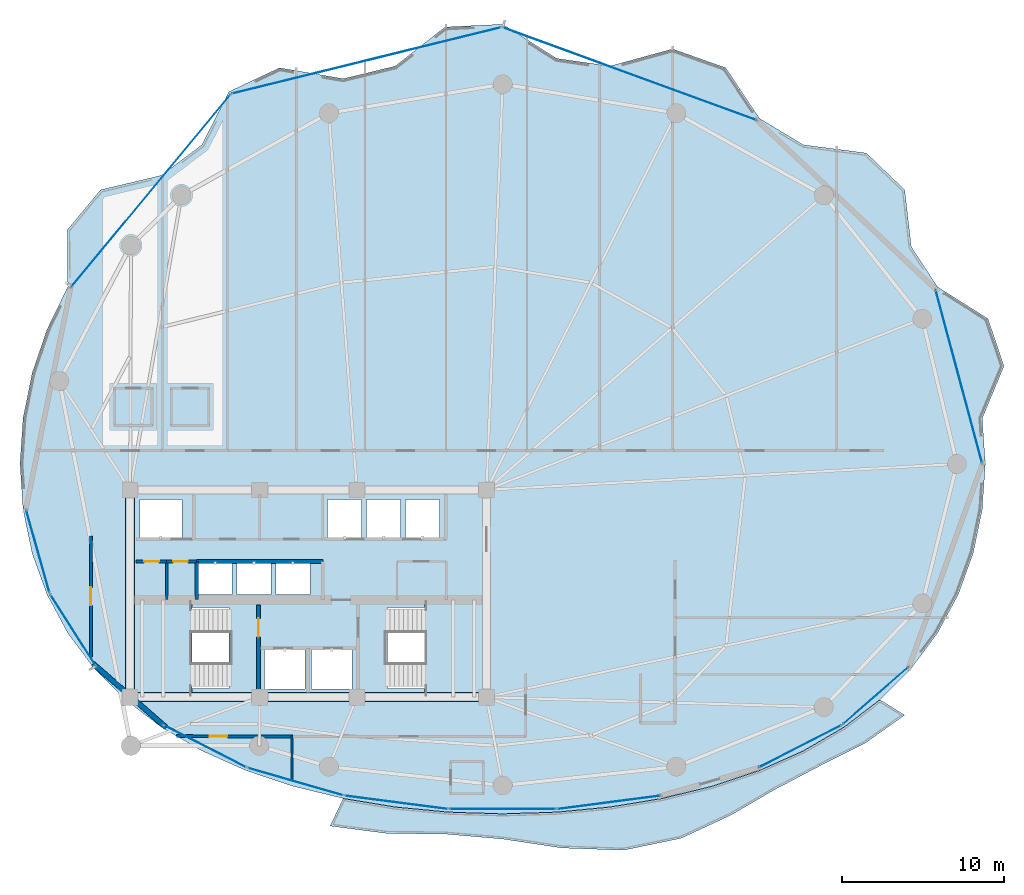
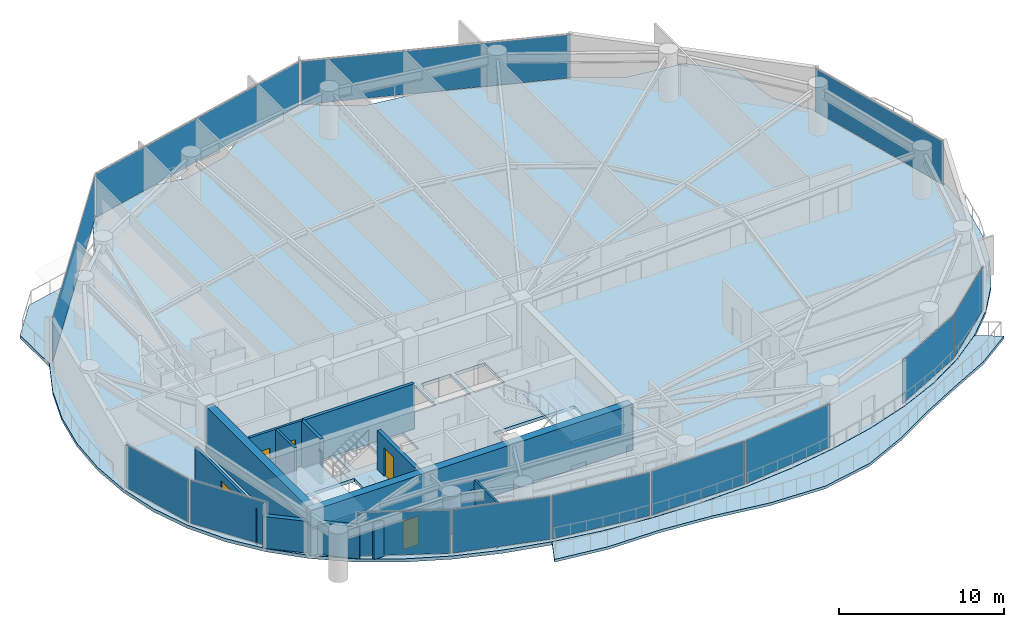
# One storey, part 22 of 28: 13 plates, 12 walls, 5 doors, 4 slabs, 5 openings, 15 elements without a shape of their own.
"""IFC4 building model written with IfcOpenShell, lengths in metres."""

from ifc_helpers import new_model, si_unit, direction, frame, frame_2d, origin, origin_2d, place, context, subcontext, project, spatial, polyline, rectangle, outline, extrude, material, layer, layer_set, type_object, element, fill, aggregate, save


model = new_model("IFC4")

# Units and contexts
model_context = context("Model", 3, precision=1e-05, world=origin(), true_north=direction((0.0, 1.0)))
body_context = subcontext(model_context, "Body", "Model", "MODEL_VIEW")
ifc_project = project(units=[si_unit("LENGTHUNIT", "METRE"), si_unit("AREAUNIT", "SQUARE_METRE"), si_unit("VOLUMEUNIT", "CUBIC_METRE"), si_unit("PLANEANGLEUNIT", "RADIAN"), si_unit("MASSUNIT", "GRAM", prefix="KILO")], contexts=[model_context])

# Site, building, storey
site_placement = place(None, origin())
site = spatial("IfcSite", under=ifc_project, at=site_placement, CompositionType="ELEMENT")
building_placement = place(site_placement, origin())
building = spatial("IfcBuilding", under=site, at=building_placement, Name="Kazevale Care Tower and Concert Hall", CompositionType="ELEMENT")
storey_placement = place(building_placement, frame((0.0, 0.0, 106.199951171875)))
storey = spatial("IfcBuildingStorey", under=building, at=storey_placement, Name="L27", CompositionType="ELEMENT", Elevation=106.199951171875)

# Curtain wall, plate
ifc_material_1 = material(Name="Aluminium 6063-T6 and Low-E Glass", Category="aluminium")
ifc_layer_1 = layer(ifc_material_1, 0.179931640625)
ifc_layer_set_1 = layer_set([ifc_layer_1], Name="Aluminium 6063-T6 and Low-E Glass")
curtain_wall_type_1 = type_object("IfcCurtainWallType", Name="Convex Checkerboard Finned Curtain Wall CW-2", PredefinedType="NOTDEFINED", material=ifc_layer_set_1)
curtain_wall_1_placement = place(storey_placement, origin())
curtain_wall_1 = element("IfcCurtainWall", 1, at=curtain_wall_1_placement, inside=storey, type_object=curtain_wall_type_1, Name="cw:L27:f14", PredefinedType="NOTDEFINED")
ifc_material_2 = material(Name="Low-E Laminated Glass", Category="glass")
ifc_layer_2 = layer(ifc_material_2, 0.028076171875)
ifc_layer_set_2 = layer_set([ifc_layer_2], Name="Low-E Laminated Glass")
plate_type_1 = type_object("IfcPlateType", Name="CW-2 Low-E Glazing Panel 28mm", PredefinedType="CURTAIN_PANEL", material=ifc_layer_set_2)
plate_1_placement = place(storey_placement, frame((23.285888671875, 54.87255859375, 0.074951171875), z_axis=(0.0, 0.0, 1.0), x_axis=(0.637984048061, 0.770049579196, 0.0)))
plate_1 = element("IfcPlate", 2, at=plate_1_placement, type_object=plate_type_1, Name="CW-2 panel 1.1", PredefinedType="CURTAIN_PANEL", context=body_context, shape_type="SweptSolid", body=[
    extrude(rectangle(XDim=15.3701171875, YDim=0.028076171875, at=origin_2d()), origin(), (0.0, 0.0, 1.0), 3.2099609375),
])
aggregate(curtain_wall_1, [plate_1])

curtain_wall_2_placement = place(storey_placement, origin())
curtain_wall_2 = element("IfcCurtainWall", 3, at=curtain_wall_2_placement, inside=storey, type_object=curtain_wall_type_1, Name="cw:L27:f16", PredefinedType="NOTDEFINED")
plate_2_placement = place(storey_placement, frame((52.839599609375, 62.08544921875, 0.074951171875), z_axis=(0.0, 0.0, 1.0), x_axis=(0.939283008641, -0.343143453498, 0.0)))
plate_2 = element("IfcPlate", 4, at=plate_2_placement, type_object=plate_type_1, Name="CW-2 panel 1.1", PredefinedType="CURTAIN_PANEL", context=body_context, shape_type="SweptSolid", body=[
    extrude(rectangle(XDim=16.634765625, YDim=0.028076171875, at=origin_2d()), origin(), (0.0, 0.0, 1.0), 3.2099609375),
])
aggregate(curtain_wall_2, [plate_2])

ifc_layer_3 = layer(ifc_material_1, 0.179931640625)
ifc_layer_set_3 = layer_set([ifc_layer_3], Name="Aluminium 6063-T6 and Low-E Glass")
curtain_wall_type_2 = type_object("IfcCurtainWallType", Name="Convex Recessed Sunroom Curtain Wall CW-3", PredefinedType="NOTDEFINED", material=ifc_layer_set_3)
curtain_wall_3_placement = place(storey_placement, origin())
curtain_wall_3 = element("IfcCurtainWall", 5, at=curtain_wall_3_placement, inside=storey, type_object=curtain_wall_type_2, Name="cw:L27:f15", PredefinedType="NOTDEFINED")
ifc_layer_4 = layer(ifc_material_2, 0.028076171875)
ifc_layer_set_4 = layer_set([ifc_layer_4], Name="Low-E Laminated Glass")
plate_type_2 = type_object("IfcPlateType", Name="CW-3 Low-E Glazing Panel 28mm", PredefinedType="CURTAIN_PANEL", material=ifc_layer_set_4)
plate_3_placement = place(storey_placement, frame((36.595947265625, 62.909423828125, 0.074951171875), z_axis=(0.0, 0.0, 1.0), x_axis=(0.970997657217, 0.239088999495, 0.0)))
plate_3 = element("IfcPlate", 6, at=plate_3_placement, type_object=plate_type_2, Name="CW-3 panel 1.1", PredefinedType="CURTAIN_PANEL", context=body_context, shape_type="SweptSolid", body=[
    extrude(rectangle(XDim=17.061279296875, YDim=0.028076171875, at=origin_2d()), origin(), (0.0, 0.0, 1.0), 3.2099609375),
])
aggregate(curtain_wall_3, [plate_3])

ifc_layer_5 = layer(ifc_material_1, 0.179931640625)
ifc_layer_set_5 = layer_set([ifc_layer_5], Name="Aluminium 6063-T6 and Low-E Glass")
curtain_wall_type_3 = type_object("IfcCurtainWallType", Name="Waist & Upper Residential Curtain Wall CW-4", PredefinedType="NOTDEFINED", material=ifc_layer_set_5)
curtain_wall_4_placement = place(storey_placement, origin())
curtain_wall_4 = element("IfcCurtainWall", 7, at=curtain_wall_4_placement, inside=storey, type_object=curtain_wall_type_3, Name="cw:L27:f11", PredefinedType="NOTDEFINED")
ifc_layer_6 = layer(ifc_material_2, 0.030029296875)
ifc_layer_set_6 = layer_set([ifc_layer_6], Name="Low-E Laminated Glass")
plate_type_3 = type_object("IfcPlateType", Name="CW-4 Low-E Glazing Panel 30mm", PredefinedType="CURTAIN_PANEL", material=ifc_layer_set_6)
plate_4_placement = place(storey_placement, frame((18.470458984375, 27.75244140625, 0.080078125), z_axis=(0.0, 0.0, 1.0), x_axis=(-0.537239193981, 0.843429930967, 0.0)))
plate_4 = element("IfcPlate", 8, at=plate_4_placement, type_object=plate_type_3, Name="CW-4 panel 1.1", PredefinedType="CURTAIN_PANEL", context=body_context, shape_type="SweptSolid", body=[
    extrude(rectangle(XDim=5.176513671875, YDim=0.030029296875, at=origin_2d()), origin(), (0.0, 0.0, 1.0), 3.199951171875),
])
aggregate(curtain_wall_4, [plate_4])

curtain_wall_5_placement = place(storey_placement, origin())
curtain_wall_5 = element("IfcCurtainWall", 9, at=curtain_wall_5_placement, inside=storey, type_object=curtain_wall_type_3, Name="cw:L27:f12", PredefinedType="NOTDEFINED")
plate_5_placement = place(storey_placement, frame((16.301513671875, 32.612548828125, 0.080078125), z_axis=(0.0, 0.0, 1.0), x_axis=(-0.271284948278, 0.962499078876, 0.0)))
plate_5 = element("IfcPlate", 10, at=plate_5_placement, type_object=plate_type_3, Name="CW-4 panel 1.1", PredefinedType="CURTAIN_PANEL", context=body_context, shape_type="SweptSolid", body=[
    extrude(rectangle(XDim=5.262451171875, YDim=0.030029296875, at=origin_2d()), origin(), (0.0, 0.0, 1.0), 3.199951171875),
])
aggregate(curtain_wall_5, [plate_5])

curtain_wall_6_placement = place(storey_placement, origin())
curtain_wall_6 = element("IfcCurtainWall", 11, at=curtain_wall_6_placement, inside=storey, type_object=curtain_wall_type_3, Name="cw:L27:f18", PredefinedType="NOTDEFINED")
plate_6_placement = place(storey_placement, frame((73.169921875, 43.401611328125, 0.080078125), z_axis=(0.0, 0.0, 1.0), x_axis=(0.259264848961, -0.965806263229, 0.0)))
plate_6 = element("IfcPlate", 12, at=plate_6_placement, type_object=plate_type_3, Name="CW-4 panel 1.1", PredefinedType="CURTAIN_PANEL", context=body_context, shape_type="SweptSolid", body=[
    extrude(rectangle(XDim=11.025390625, YDim=0.030029296875, at=origin_2d()), origin(), (0.0, 0.0, 1.0), 3.199951171875),
])
aggregate(curtain_wall_6, [plate_6])

ifc_layer_7 = layer(ifc_material_1, 0.179931640625)
ifc_layer_set_7 = layer_set([ifc_layer_7], Name="Aluminium 6063-T6 and Low-E Glass")
curtain_wall_type_4 = type_object("IfcCurtainWallType", Name="Sheltered Concave Balcony Curtain Wall CW-5", PredefinedType="NOTDEFINED", material=ifc_layer_set_7)
curtain_wall_7_placement = place(storey_placement, origin())
curtain_wall_7 = element("IfcCurtainWall", 13, at=curtain_wall_7_placement, inside=storey, type_object=curtain_wall_type_4, Name="cw:L27:f02", PredefinedType="NOTDEFINED")
ifc_layer_8 = layer(ifc_material_2, 0.02587890625)
ifc_layer_set_8 = layer_set([ifc_layer_8], Name="Low-E Laminated Glass")
plate_type_4 = type_object("IfcPlateType", Name="CW-5 Low-E Glazing Panel 26mm", PredefinedType="CURTAIN_PANEL", material=ifc_layer_set_8)
plate_7_placement = place(storey_placement, frame((68.033447265625, 23.699951171875, 0.074951171875), z_axis=(0.0, 0.0, 1.0), x_axis=(-0.753062779437, -0.657948668382, 0.0)))
plate_7 = element("IfcPlate", 14, at=plate_7_placement, type_object=plate_type_4, Name="CW-5 panel 1.1", PredefinedType="CURTAIN_PANEL", context=body_context, shape_type="SweptSolid", body=[
    extrude(rectangle(XDim=5.32763671875, YDim=0.02587890625, at=origin_2d()), origin(), (0.0, 0.0, 1.0), 3.2099609375),
])
aggregate(curtain_wall_7, [plate_7])

curtain_wall_8_placement = place(storey_placement, origin())
curtain_wall_8 = element("IfcCurtainWall", 15, at=curtain_wall_8_placement, inside=storey, type_object=curtain_wall_type_4, Name="cw:L27:f03", PredefinedType="NOTDEFINED")
plate_8_placement = place(storey_placement, frame((63.3798828125, 20.571533203125, 0.074951171875), z_axis=(0.0, 0.0, 1.0), x_axis=(-0.890126646051, -0.455713236575, 0.0)))
plate_8 = element("IfcPlate", 16, at=plate_8_placement, type_object=plate_type_4, Name="CW-5 panel 1.1", PredefinedType="CURTAIN_PANEL", context=body_context, shape_type="SweptSolid", body=[
    extrude(rectangle(XDim=5.671630859375, YDim=0.02587890625, at=origin_2d()), origin(), (0.0, 0.0, 1.0), 3.2099609375),
])
aggregate(curtain_wall_8, [plate_8])

curtain_wall_9_placement = place(storey_placement, origin())
curtain_wall_9 = element("IfcCurtainWall", 17, at=curtain_wall_9_placement, inside=storey, type_object=curtain_wall_type_4, Name="cw:L27:f05", PredefinedType="NOTDEFINED")
plate_9_placement = place(storey_placement, frame((51.5654296875, 17.1044921875, 0.074951171875), z_axis=(0.0, 0.0, 1.0), x_axis=(-0.991685519364, -0.12868500567, 0.0)))
plate_9 = element("IfcPlate", 18, at=plate_9_placement, type_object=plate_type_4, Name="CW-5 panel 1.1", PredefinedType="CURTAIN_PANEL", context=body_context, shape_type="SweptSolid", body=[
    extrude(rectangle(XDim=6.38525390625, YDim=0.02587890625, at=origin_2d()), origin(), (0.0, 0.0, 1.0), 3.2099609375),
])
aggregate(curtain_wall_9, [plate_9])

curtain_wall_10_placement = place(storey_placement, origin())
curtain_wall_10 = element("IfcCurtainWall", 19, at=curtain_wall_10_placement, inside=storey, type_object=curtain_wall_type_4, Name="cw:L27:f06", PredefinedType="NOTDEFINED")
plate_10_placement = place(storey_placement, frame((45.0, 16.68408203125, 0.074951171875), z_axis=(0.0, 0.0, 1.0), x_axis=(-1.0, 0.0, 0.0)))
plate_10 = element("IfcPlate", 20, at=plate_10_placement, type_object=plate_type_4, Name="CW-5 panel 1.1", PredefinedType="CURTAIN_PANEL", context=body_context, shape_type="SweptSolid", body=[
    extrude(rectangle(XDim=6.5, YDim=0.02587890625, at=origin_2d()), origin(), (0.0, 0.0, 1.0), 3.2099609375),
])
aggregate(curtain_wall_10, [plate_10])

curtain_wall_11_placement = place(storey_placement, origin())
curtain_wall_11 = element("IfcCurtainWall", 21, at=curtain_wall_11_placement, inside=storey, type_object=curtain_wall_type_4, Name="cw:L27:f07", PredefinedType="NOTDEFINED")
plate_11_placement = place(storey_placement, frame((38.4345703125, 17.1044921875, 0.074951171875), z_axis=(0.0, 0.0, 1.0), x_axis=(-0.991685519364, 0.12868500567, 0.0)))
plate_11 = element("IfcPlate", 22, at=plate_11_placement, type_object=plate_type_4, Name="CW-5 panel 1.1", PredefinedType="CURTAIN_PANEL", context=body_context, shape_type="SweptSolid", body=[
    extrude(rectangle(XDim=6.38525390625, YDim=0.02587890625, at=origin_2d()), origin(), (0.0, 0.0, 1.0), 3.2099609375),
])
aggregate(curtain_wall_11, [plate_11])

curtain_wall_12_placement = place(storey_placement, origin())
curtain_wall_12 = element("IfcCurtainWall", 23, at=curtain_wall_12_placement, inside=storey, type_object=curtain_wall_type_4, Name="cw:L27:f08", PredefinedType="NOTDEFINED")
plate_12_placement = place(storey_placement, frame((32.202392578125, 18.385009765625, 0.074951171875), z_axis=(0.0, 0.0, 1.0), x_axis=(-0.961074102639, 0.276290733172, 0.0)))
plate_12 = element("IfcPlate", 24, at=plate_12_placement, type_object=plate_type_4, Name="CW-5 panel 1.1", PredefinedType="CURTAIN_PANEL", context=body_context, shape_type="SweptSolid", body=[
    extrude(rectangle(XDim=6.075439453125, YDim=0.02587890625, at=origin_2d()), origin(), (0.0, 0.0, 1.0), 3.2099609375),
])
aggregate(curtain_wall_12, [plate_12])

curtain_wall_13_placement = place(storey_placement, origin())
curtain_wall_13 = element("IfcCurtainWall", 25, at=curtain_wall_13_placement, inside=storey, type_object=curtain_wall_type_4, Name="cw:L27:f09", PredefinedType="NOTDEFINED")
plate_13_placement = place(storey_placement, frame((26.6201171875, 20.571533203125, 0.074951171875), z_axis=(0.0, 0.0, 1.0), x_axis=(-0.890126646051, 0.455713236575, 0.0)))
plate_13 = element("IfcPlate", 26, at=plate_13_placement, type_object=plate_type_4, Name="CW-5 panel 1.1", PredefinedType="CURTAIN_PANEL", context=body_context, shape_type="SweptSolid", body=[
    extrude(rectangle(XDim=5.671630859375, YDim=0.02587890625, at=origin_2d()), origin(), (0.0, 0.0, 1.0), 3.2099609375),
])
aggregate(curtain_wall_13, [plate_13])

# Slab
ifc_material_3 = material(Name="Concrete C40", Category="concrete")
ifc_layer_9 = layer(ifc_material_3, 0.199951171875)
ifc_layer_set_9 = layer_set([ifc_layer_9], Name="Concrete C40")
slab_type_1 = type_object("IfcSlabType", Name="Sinusoidal Concave Balcony Slab 200", PredefinedType="USERDEFINED", material=ifc_layer_set_9)
slab_1_placement = place(storey_placement, frame((0.0, 0.0, -0.199951171875)))
element("IfcSlab", 27, at=slab_1_placement, inside=storey, type_object=slab_type_1, Name="slab:L27:bal", ObjectType="BALCONY", PredefinedType="USERDEFINED", context=body_context, shape_type="SweptSolid", body=[
    extrude(outline(polyline([(69.8251953125, 22.492919921875), (67.36572265625, 20.75), (64.569091796875, 19.349365234375), (61.829833984375, 17.91357421875), (59.088134765625, 16.315185546875), (56.014892578125, 14.887939453125), (52.4658203125, 14.152587890625), (48.680419921875, 14.2880859375), (45.0, 14.841796875), (41.453369140625, 15.14990234375), (37.858154296875, 15.1875), (34.346435546875, 15.645751953125), (35.155517578125, 17.343505859375), (35.15673828125, 17.34326171875), (38.368408203125, 16.81396484375), (41.6630859375, 16.49951171875), (45.0, 16.39501953125), (48.3369140625, 16.49951171875), (51.631591796875, 16.81396484375), (54.84326171875, 17.34326171875), (57.93115234375, 18.09375), (60.8564453125, 19.07275390625), (63.582275390625, 20.28759765625), (66.07470703125, 21.74365234375), (68.302001953125, 23.442626953125), (68.302978515625, 23.44384765625), (69.8251953125, 22.492919921875)])), origin(), (0.0, 0.0, 1.0), 0.199951171875),
])

# Stair, slab
stair_type = type_object("IfcStairType", Name="Exit Stair Assembly ST1-Z2", PredefinedType="HALF_TURN_STAIR", material=ifc_material_3)
stair_1_placement = place(storey_placement, origin())
stair_1 = element("IfcStair", 28, at=stair_1_placement, inside=storey, type_object=stair_type, Name="stair:L27:ST1", PredefinedType="HALF_TURN_STAIR")
ifc_layer_10 = layer(ifc_material_3, 0.199951171875)
ifc_layer_set_10 = layer_set([ifc_layer_10], Name="Concrete C40")
slab_type_2 = type_object("IfcSlabType", Name="Stair Half-Landing Slab ST1-Z2", PredefinedType="LANDING", material=ifc_layer_set_10)
slab_2_placement = place(storey_placement, frame((0.0, 0.0, 1.60009765625)))
slab_2 = element("IfcSlab", 29, at=slab_2_placement, type_object=slab_type_2, Name="ST1-Z2 landing 1", PredefinedType="LANDING", context=body_context, shape_type="SweptSolid", body=[
    extrude(outline(polyline([(22.050048828125, 23.699951171875), (25.81005859375, 23.699951171875), (25.81005859375, 29.5), (22.050048828125, 29.5), (22.050048828125, 23.699951171875)])), origin(), (0.0, 0.0, 1.0), 0.199951171875),
])
aggregate(stair_1, [slab_2])

stair_2_placement = place(storey_placement, origin())
stair_2 = element("IfcStair", 30, at=stair_2_placement, inside=storey, type_object=stair_type, Name="stair:L27:ST2", PredefinedType="HALF_TURN_STAIR")
slab_3_placement = place(storey_placement, frame((0.0, 0.0, 1.60009765625)))
slab_3 = element("IfcSlab", 31, at=slab_3_placement, type_object=slab_type_2, Name="ST1-Z2 landing 1", PredefinedType="LANDING", context=body_context, shape_type="SweptSolid", body=[
    extrude(outline(polyline([(40.18994140625, 23.699951171875), (43.949951171875, 23.699951171875), (43.949951171875, 29.5), (40.18994140625, 29.5), (40.18994140625, 23.699951171875)])), origin(), (0.0, 0.0, 1.0), 0.199951171875),
])
aggregate(stair_2, [slab_3])

# Slab
ifc_layer_11 = layer(ifc_material_3, 0.239990234375)
ifc_layer_set_11 = layer_set([ifc_layer_11], Name="Concrete C40")
slab_type_3 = type_object("IfcSlabType", Name="Tower Typical Floor Slab 240", PredefinedType="FLOOR", material=ifc_layer_set_11)
slab_4_placement = place(storey_placement, frame((0.0, 0.0, -0.239990234375)))
element("IfcSlab", 32, at=slab_4_placement, inside=storey, type_object=slab_type_3, Name="slab:L27:tw:1", PredefinedType="FLOOR", context=body_context, shape_type="SweptSolid", body=[
    extrude(outline(polyline([(74.800048828125, 38.0), (74.612548828125, 40.821533203125), (75.9541015625, 44.04150390625), (74.96826171875, 46.967041015625), (71.848876953125, 48.933837890625), (70.232421875, 51.4072265625), (69.822998046875, 54.927734375), (67.45068359375, 57.197998046875), (63.580078125, 57.7021484375), (60.8544921875, 59.33740234375), (58.77587890625, 62.461181640625), (55.486328125, 63.62646484375), (51.631103515625, 62.568115234375), (48.33642578125, 63.04150390625), (45.0, 65.14990234375), (41.445068359375, 64.979248046875), (38.368896484375, 62.568115234375), (35.15771484375, 61.785888671875), (31.22412109375, 62.461181640625), (28.10791015625, 60.988525390625), (26.419921875, 57.7021484375), (23.92822265625, 55.819091796875), (20.177001953125, 54.927734375), (18.116455078125, 52.444580078125), (18.151123046875, 48.933837890625), (16.872314453125, 46.322998046875), (15.947021484375, 43.607421875), (15.387451171875, 40.821533203125), (15.199951171875, 38.0), (15.387451171875, 35.197265625), (15.947021484375, 32.490234375), (16.872314453125, 29.92919921875), (18.151123046875, 27.551513671875), (19.767578125, 25.384521484375), (21.701416015625, 23.446533203125), (23.92822265625, 21.747802734375), (26.419921875, 20.2919921875), (29.1455078125, 19.077392578125), (32.0703125, 18.098388671875), (35.15771484375, 17.34814453125), (38.368896484375, 16.819091796875), (41.66357421875, 16.50439453125), (45.0, 16.39990234375), (48.33642578125, 16.50439453125), (51.631103515625, 16.819091796875), (54.84228515625, 17.34814453125), (57.9296875, 18.098388671875), (60.8544921875, 19.077392578125), (63.580078125, 20.2919921875), (66.07177734375, 21.747802734375), (68.298583984375, 23.446533203125), (70.232421875, 25.384521484375), (71.848876953125, 27.551513671875), (73.127685546875, 29.92919921875), (74.052978515625, 32.490234375), (74.612548828125, 35.197265625), (74.800048828125, 38.0)]), holes=[polyline([(22.449951171875, 24.14990234375), (28.110107421875, 24.14990234375), (28.110107421875, 29.14990234375), (22.449951171875, 29.14990234375), (22.449951171875, 24.14990234375)]), polyline([(37.889892578125, 24.14990234375), (43.550048828125, 24.14990234375), (43.550048828125, 29.14990234375), (37.889892578125, 29.14990234375), (37.889892578125, 24.14990234375)]), polyline([(30.300048828125, 24.10009765625), (32.800048828125, 24.10009765625), (32.800048828125, 26.60009765625), (30.300048828125, 26.60009765625), (30.300048828125, 24.10009765625)]), polyline([(33.199951171875, 24.10009765625), (35.699951171875, 24.10009765625), (35.699951171875, 26.60009765625), (33.199951171875, 26.60009765625), (33.199951171875, 24.10009765625)]), polyline([(22.60009765625, 33.39990234375), (25.199951171875, 33.39990234375), (25.199951171875, 35.800048828125), (22.60009765625, 35.800048828125), (22.60009765625, 33.39990234375)]), polyline([(34.199951171875, 33.39990234375), (36.300048828125, 33.39990234375), (36.300048828125, 35.800048828125), (34.199951171875, 35.800048828125), (34.199951171875, 33.39990234375)]), polyline([(36.60009765625, 33.39990234375), (38.699951171875, 33.39990234375), (38.699951171875, 35.800048828125), (36.60009765625, 35.800048828125), (36.60009765625, 33.39990234375)]), polyline([(39.0, 33.39990234375), (41.10009765625, 33.39990234375), (41.10009765625, 35.800048828125), (39.0, 35.800048828125), (39.0, 33.39990234375)]), polyline([(26.199951171875, 29.949951171875), (28.300048828125, 29.949951171875), (28.300048828125, 31.949951171875), (26.199951171875, 31.949951171875), (26.199951171875, 29.949951171875)]), polyline([(28.60009765625, 29.949951171875), (30.699951171875, 29.949951171875), (30.699951171875, 31.949951171875), (28.60009765625, 31.949951171875), (28.60009765625, 29.949951171875)]), polyline([(31.0, 29.949951171875), (33.10009765625, 29.949951171875), (33.10009765625, 31.949951171875), (31.0, 31.949951171875), (31.0, 29.949951171875)])]), origin(), (0.0, 0.0, 1.0), 0.239990234375),
])

# Walls
ifc_material_4 = material(Name="Acoustic Gypsum on Steel Stud", Category="steel")
ifc_layer_12 = layer(ifc_material_4, 0.139892578125)
ifc_layer_set_12 = layer_set([ifc_layer_12], Name="Acoustic Gypsum on Steel Stud")
wall_type_1 = type_object("IfcWallType", Name="Acoustic Care & Suite Partition 140", PredefinedType="PARTITIONING", material=ifc_layer_set_12)
wall_1_placement = place(storey_placement, frame((32.0, 21.205078125, 0.0), z_axis=(0.0, 0.0, 1.0), x_axis=(0.0, -1.0, 0.0)))
element("IfcWall", 33, at=wall_1_placement, inside=storey, type_object=wall_type_1, Name="wall:L27:auto_031", PredefinedType="PARTITIONING", context=body_context, shape_type="SweptSolid", body=[
    extrude(rectangle(XDim=2.751953125, YDim=0.139892578125, at=frame_2d((1.3759765625, 0.0))), origin(), (0.0, 0.0, 1.0), 3.360107421875),
])
ifc_material_5 = material(Name="Concrete C60", Category="concrete")
ifc_layer_13 = layer(ifc_material_5, 0.550048828125)
ifc_layer_set_13 = layer_set([ifc_layer_13], Name="Concrete C60")
wall_type_2 = type_object("IfcWallType", Name="Core Shear Wall 550 C60", PredefinedType="SHEAR", material=ifc_layer_set_13)
wall_2_placement = place(storey_placement, frame((21.72509765625, 23.60009765625, 0.0), z_axis=(0.0, 0.0, 1.0), x_axis=(1.0, 0.0, 0.0)))
element("IfcWall", 34, at=wall_2_placement, inside=storey, type_object=wall_type_2, Name="wall:L27:core:S", PredefinedType="SHEAR", context=body_context, shape_type="SweptSolid", body=[
    extrude(rectangle(XDim=22.5498046875, YDim=0.550048828125, at=frame_2d((11.27490234375, 0.0))), origin(), (0.0, 0.0, 1.0), 3.360107421875),
])
wall_3_placement = place(storey_placement, frame((22.0, 23.875, 0.0), z_axis=(0.0, 0.0, 1.0), x_axis=(0.0, 1.0, 0.0)))
element("IfcWall", 35, at=wall_3_placement, inside=storey, type_object=wall_type_2, Name="wall:L27:core:W", PredefinedType="SHEAR", context=body_context, shape_type="SweptSolid", body=[
    extrude(rectangle(XDim=12.25, YDim=0.550048828125, at=frame_2d((6.125, 0.0))), origin(), (0.0, 0.0, 1.0), 3.360107421875),
])
ifc_layer_14 = layer(ifc_material_3, 0.219970703125)
ifc_layer_set_14 = layer_set([ifc_layer_14], Name="Concrete C40")
wall_type_3 = type_object("IfcWallType", Name="Elevator Hoistway Shaft Wall 220", PredefinedType="SOLIDWALL", material=ifc_layer_set_14)
wall_4_placement = place(storey_placement, frame((26.10009765625, 29.6201171875, 0.0), z_axis=(0.0, 0.0, 1.0), x_axis=(0.0, 1.0, 0.0)))
element("IfcWall", 36, at=wall_4_placement, inside=storey, type_object=wall_type_3, Name="wall:L27:c_ph_w", PredefinedType="SOLIDWALL", context=body_context, shape_type="SweptSolid", body=[
    extrude(rectangle(XDim=2.35986328125, YDim=0.219970703125, at=frame_2d((1.179931640625, 0.0))), origin(), (0.0, 0.0, 1.0), 3.360107421875),
])
wall_5_placement = place(storey_placement, frame((26.10009765625, 31.97998046875, 0.0), z_axis=(0.0, 0.0, 1.0), x_axis=(1.0, 0.0, 0.0)))
element("IfcWall", 37, at=wall_5_placement, inside=storey, type_object=wall_type_3, Name="wall:L27:c_ph_n", PredefinedType="SOLIDWALL", context=body_context, shape_type="SweptSolid", body=[
    extrude(rectangle(XDim=7.7998046875, YDim=0.219970703125, at=frame_2d((3.89990234375, 0.0))), origin(), (0.0, 0.0, 1.0), 3.360107421875),
])

# Wall, opening, door
ifc_material_6 = material(Name="Concrete C40 and Acoustic Gypsum", Category="concrete")
ifc_layer_15 = layer(ifc_material_6, 0.179931640625)
ifc_layer_set_15 = layer_set([ifc_layer_15], Name="Concrete C40 and Acoustic Gypsum")
wall_type_4 = type_object("IfcWallType", Name="Fire-Rated Corridor & Party Wall 180", PredefinedType="PARTITIONING", material=ifc_layer_set_15)
wall_6_placement = place(storey_placement, frame((22.35009765625, 31.97998046875, 0.0), z_axis=(0.0, 0.0, 1.0), x_axis=(1.0, 0.0, 0.0)))
wall_6 = element("IfcWall", 38, at=wall_6_placement, inside=storey, type_object=wall_type_4, Name="wall:L27:kb_wn0", PredefinedType="PARTITIONING", context=body_context, shape_type="SweptSolid", body=[
    extrude(rectangle(XDim=1.909912109375, YDim=0.179931640625, at=frame_2d((0.955078125, 0.0))), origin(), (0.0, 0.0, 1.0), 3.360107421875),
])
opening_1_placement = place(wall_6_placement, frame((0.514892578125, 0.0, 0.0)))
opening_1 = element("IfcOpeningElement", 39, at=opening_1_placement, cuts=wall_6, Name="Opening ID-900", PredefinedType="OPENING", context=body_context, shape_type="SweptSolid", body=[
    extrude(rectangle(XDim=0.919921875, YDim=2.10009765625, at=frame_2d((0.4599609375, 1.050048828125))), frame((0.0, 0.099853515625, 0.0), z_axis=(0.0, -1.0, 0.0), x_axis=(1.0, 0.0, 0.0)), (0.0, 0.0, 1.0), 0.199951171875),
])
ifc_material_7 = material(Name="Oak Timber Fire Leaf", Category="wood")
door_type_1 = type_object("IfcDoorType", Name="Bathroom & Service Door 920x2100", OperationType="NOTDEFINED", PredefinedType="DOOR", material=ifc_material_7)
door_1_placement = place(opening_1_placement, origin())
door_1 = element("IfcDoor", 40, at=door_1_placement, inside=storey, type_object=door_type_1, Name="door:L27:d_kbw1", OperationType="SINGLE_SWING_LEFT", OverallHeight=2.10009765625, OverallWidth=0.919921875, PredefinedType="DOOR", context=body_context, shape_type="SweptSolid", body=[
    extrude(rectangle(XDim=0.919921875, YDim=2.10009765625, at=frame_2d((0.4599609375, 1.050048828125))), frame((0.0, 0.02490234375, 0.0), z_axis=(0.0, -1.0, 0.0), x_axis=(1.0, 0.0, 0.0)), (0.0, 0.0, 1.0), 0.050048828125),
])
fill(opening_1, door_1)

wall_7_placement = place(storey_placement, frame((32.06494140625, 21.175048828125, 0.0), z_axis=(0.0, 0.0, 1.0), x_axis=(-0.999996512042, 0.002641193551, 0.0)))
wall_7 = element("IfcWall", 41, at=wall_7_placement, inside=storey, type_object=wall_type_4, Name="wall:L27:auto_017", PredefinedType="PARTITIONING", context=body_context, shape_type="SweptSolid", body=[
    extrude(rectangle(XDim=7.2099609375, YDim=0.179931640625, at=frame_2d((3.60498046875, 0.0))), origin(), (0.0, 0.0, 1.0), 2.656982421875),
])
opening_2_placement = place(wall_7_placement, frame((4.054931640625, 0.0, 0.0)))
opening_2 = element("IfcOpeningElement", 42, at=opening_2_placement, cuts=wall_7, Name="Opening ID-1100", PredefinedType="OPENING", context=body_context, shape_type="SweptSolid", body=[
    extrude(rectangle(XDim=1.10009765625, YDim=2.10009765625, at=frame_2d((0.550048828125, 1.050048828125))), frame((0.0, 0.099853515625, 0.0), z_axis=(0.0, -1.0, 0.0), x_axis=(1.0, 0.0, 0.0)), (0.0, 0.0, 1.0), 0.199951171875),
])
door_type_2 = type_object("IfcDoorType", Name="Care Bedroom Accessible Door 1100x2100", OperationType="NOTDEFINED", PredefinedType="DOOR", material=ifc_material_7)
door_2_placement = place(opening_2_placement, origin())
door_2 = element("IfcDoor", 43, at=door_2_placement, inside=storey, type_object=door_type_2, Name="door:L27:ad_017", OperationType="SINGLE_SWING_LEFT", OverallHeight=2.10009765625, OverallWidth=1.10009765625, PredefinedType="DOOR", context=body_context, shape_type="SweptSolid", body=[
    extrude(rectangle(XDim=1.10009765625, YDim=2.10009765625, at=frame_2d((0.550048828125, 1.050048828125))), frame((0.0, 0.02490234375, 0.0), z_axis=(0.0, -1.0, 0.0), x_axis=(1.0, 0.0, 0.0)), (0.0, 0.0, 1.0), 0.050048828125),
])
fill(opening_2, door_2)

wall_8_placement = place(storey_placement, frame((19.574951171875, 26.0849609375, 0.0), z_axis=(0.0, 0.0, 1.0), x_axis=(0.0, 1.0, 0.0)))
wall_8 = element("IfcWall", 44, at=wall_8_placement, inside=storey, type_object=wall_type_4, Name="wall:L27:auto_019", PredefinedType="PARTITIONING", context=body_context, shape_type="SweptSolid", body=[
    extrude(rectangle(XDim=7.47998046875, YDim=0.179931640625, at=frame_2d((3.739990234375, 0.0))), origin(), (0.0, 0.0, 1.0), 2.656982421875),
])
opening_3_placement = place(wall_8_placement, frame((3.18994140625, 0.0, 0.0)))
opening_3 = element("IfcOpeningElement", 45, at=opening_3_placement, cuts=wall_8, Name="Opening ID-1100", PredefinedType="OPENING", context=body_context, shape_type="SweptSolid", body=[
    extrude(rectangle(XDim=1.10009765625, YDim=2.10009765625, at=frame_2d((0.550048828125, 1.050048828125))), frame((0.0, 0.099853515625, 0.0), z_axis=(0.0, -1.0, 0.0), x_axis=(1.0, 0.0, 0.0)), (0.0, 0.0, 1.0), 0.199951171875),
])
door_3_placement = place(opening_3_placement, origin())
door_3 = element("IfcDoor", 46, at=door_3_placement, inside=storey, type_object=door_type_2, Name="door:L27:ad_019", OperationType="SINGLE_SWING_LEFT", OverallHeight=2.10009765625, OverallWidth=1.10009765625, PredefinedType="DOOR", context=body_context, shape_type="SweptSolid", body=[
    extrude(rectangle(XDim=1.10009765625, YDim=2.10009765625, at=frame_2d((0.550048828125, 1.050048828125))), frame((0.0, 0.02490234375, 0.0), z_axis=(0.0, -1.0, 0.0), x_axis=(1.0, 0.0, 0.0)), (0.0, 0.0, 1.0), 0.050048828125),
])
fill(opening_3, door_3)

# Wall
ifc_layer_16 = layer(ifc_material_4, 0.159912109375)
ifc_layer_set_16 = layer_set([ifc_layer_16], Name="Acoustic Gypsum on Steel Stud")
wall_type_5 = type_object("IfcWallType", Name="Moisture-Resistant Bathroom Plumbing Wall 160", PredefinedType="PLUMBINGWALL", material=ifc_layer_set_16)
wall_9_placement = place(storey_placement, frame((24.260009765625, 29.6201171875, 0.0), z_axis=(0.0, 0.0, 1.0), x_axis=(0.0, 1.0, 0.0)))
element("IfcWall", 47, at=wall_9_placement, inside=storey, type_object=wall_type_5, Name="wall:L27:kb_we1", PredefinedType="PLUMBINGWALL", context=body_context, shape_type="SweptSolid", body=[
    extrude(rectangle(XDim=2.35986328125, YDim=0.159912109375, at=frame_2d((1.179931640625, 0.0))), origin(), (0.0, 0.0, 1.0), 3.360107421875),
])

# Wall, opening, door
wall_10_placement = place(storey_placement, frame((24.260009765625, 31.97998046875, 0.0), z_axis=(0.0, 0.0, 1.0), x_axis=(1.0, 0.0, 0.0)))
wall_10 = element("IfcWall", 48, at=wall_10_placement, inside=storey, type_object=wall_type_5, Name="wall:L27:kb_wn1", PredefinedType="PLUMBINGWALL", context=body_context, shape_type="SweptSolid", body=[
    extrude(rectangle(XDim=1.840087890625, YDim=0.159912109375, at=frame_2d((0.919921875, 0.0))), origin(), (0.0, 0.0, 1.0), 3.360107421875),
])
opening_4_placement = place(wall_10_placement, frame((0.387939453125, 0.0, 0.0)))
opening_4 = element("IfcOpeningElement", 49, at=opening_4_placement, cuts=wall_10, Name="Opening ID-900", PredefinedType="OPENING", context=body_context, shape_type="SweptSolid", body=[
    extrude(rectangle(XDim=0.919921875, YDim=2.10009765625, at=frame_2d((0.4599609375, 1.050048828125))), frame((0.0, 0.08984375, 0.0), z_axis=(0.0, -1.0, 0.0), x_axis=(1.0, 0.0, 0.0)), (0.0, 0.0, 1.0), 0.179931640625),
])
door_4_placement = place(opening_4_placement, origin())
door_4 = element("IfcDoor", 50, at=door_4_placement, inside=storey, type_object=door_type_1, Name="door:L27:d_kbw2", OperationType="SINGLE_SWING_RIGHT", OverallHeight=2.10009765625, OverallWidth=0.919921875, PredefinedType="DOOR", context=body_context, shape_type="SweptSolid", body=[
    extrude(rectangle(XDim=0.919921875, YDim=2.10009765625, at=frame_2d((0.4599609375, 1.050048828125))), frame((0.0, 0.02490234375, 0.0), z_axis=(0.0, -1.0, 0.0), x_axis=(1.0, 0.0, 0.0)), (0.0, 0.0, 1.0), 0.050048828125),
])
fill(opening_4, door_4)

ifc_layer_17 = layer(ifc_material_3, 0.25)
ifc_layer_set_17 = layer_set([ifc_layer_17], Name="Concrete C40")
wall_type_6 = type_object("IfcWallType", Name="Pressurized Stair Shaft Wall 250", PredefinedType="SOLIDWALL", material=ifc_layer_set_17)
wall_11_placement = place(storey_placement, frame((29.919921875, 23.89990234375, 0.0), z_axis=(0.0, 0.0, 1.0), x_axis=(0.0, 1.0, 0.0)))
wall_11 = element("IfcWall", 51, at=wall_11_placement, inside=storey, type_object=wall_type_6, Name="wall:L27:c_st1_e", PredefinedType="SOLIDWALL", context=body_context, shape_type="SweptSolid", body=[
    extrude(rectangle(XDim=5.400146484375, YDim=0.25, at=frame_2d((2.7001953125, 0.0))), origin(), (0.0, 0.0, 1.0), 2.89013671875),
])
opening_5_placement = place(wall_11_placement, frame((3.4208984375, 0.0, 0.0)))
opening_5 = element("IfcOpeningElement", 52, at=opening_5_placement, cuts=wall_11, Name="Opening FD-90", PredefinedType="OPENING", context=body_context, shape_type="SweptSolid", body=[
    extrude(rectangle(XDim=1.14990234375, YDim=2.10009765625, at=frame_2d((0.574951171875, 1.050048828125))), frame((0.0, 0.135009765625, 0.0), z_axis=(0.0, -1.0, 0.0), x_axis=(1.0, 0.0, 0.0)), (0.0, 0.0, 1.0), 0.27001953125),
])
ifc_material_8 = material(Name="Steel ASTM A572 Gr 50", Category="steel")
door_type_3 = type_object("IfcDoorType", Name="Pressurized Stair & Lobby Fire Door 1150x2100", OperationType="NOTDEFINED", PredefinedType="DOOR", material=ifc_material_8)
door_5_placement = place(opening_5_placement, origin())
door_5 = element("IfcDoor", 53, at=door_5_placement, inside=storey, type_object=door_type_3, Name="door:L27:st1", OperationType="SINGLE_SWING_RIGHT", OverallHeight=2.10009765625, OverallWidth=1.14990234375, PredefinedType="DOOR", context=body_context, shape_type="SweptSolid", body=[
    extrude(rectangle(XDim=1.14990234375, YDim=2.10009765625, at=frame_2d((0.574951171875, 1.050048828125))), frame((0.0, 0.02490234375, 0.0), z_axis=(0.0, -1.0, 0.0), x_axis=(1.0, 0.0, 0.0)), (0.0, 0.0, 1.0), 0.050048828125),
])
fill(opening_5, door_5)

# Wall
ifc_material_9 = material(Name="Concrete C40 with Honed Limestone Cladding", Category="masonry")
ifc_layer_18 = layer(ifc_material_9, 0.320068359375)
ifc_layer_set_18 = layer_set([ifc_layer_18], Name="Concrete C40 with Honed Limestone Cladding")
wall_type_7 = type_object("IfcWallType", Name="Tower Honed Limestone Spandrel Wall 320", PredefinedType="STANDARD", material=ifc_layer_set_18)
wall_12_placement = place(storey_placement, frame((24.22509765625, 21.72705078125, 0.0), z_axis=(0.0, 0.0, 1.0), x_axis=(-0.753105964003, 0.657899237713, 0.0)))
element("IfcWall", 54, at=wall_12_placement, inside=storey, type_object=wall_type_7, Name="wall:cw:L27:f10", PredefinedType="STANDARD", context=body_context, shape_type="SweptSolid", body=[
    extrude(rectangle(XDim=5.998046875, YDim=0.320068359375, at=frame_2d((2.9990234375, 0.0))), origin(), (0.0, 0.0, 1.0), 2.35009765625),
])

save(model, "model.ifc")
